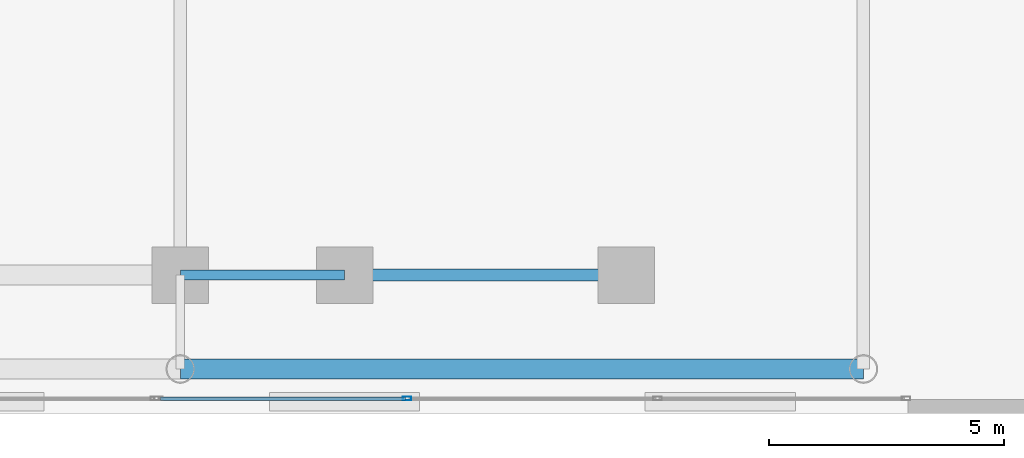
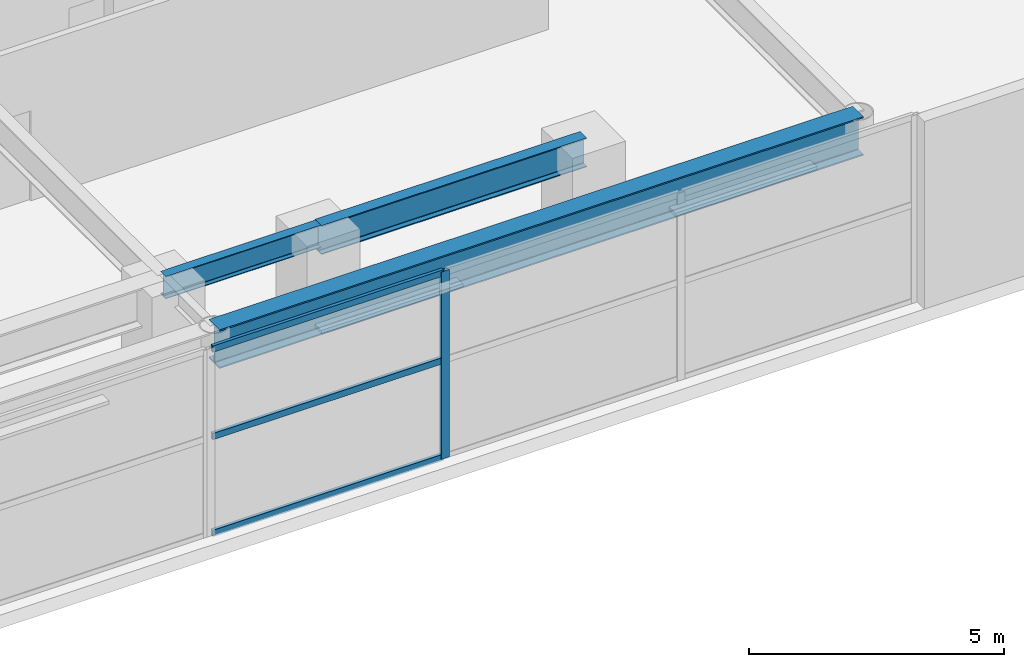
# One storey, part 8 of 28: 4 members, 3 beams, 1 element without a shape of its own.
"""IFC4 building model written with IfcOpenShell, lengths in metres."""

from ifc_helpers import new_model, si_unit, direction, frame, origin, origin_2d, place, context, subcontext, project, spatial, hollow_rectangle, i_section, extrude, source, transform, mapped, material, layer, layer_set, material_profile, profile_set, type_object, element, aggregate, save


model = new_model("IFC4")

# Units and contexts
model_context = context("Model", 3, precision=1e-05, world=origin(), true_north=direction((0.0, 1.0)))
body_context = subcontext(model_context, "Body", "Model", "MODEL_VIEW")
ifc_project = project(units=[si_unit("LENGTHUNIT", "METRE"), si_unit("AREAUNIT", "SQUARE_METRE"), si_unit("VOLUMEUNIT", "CUBIC_METRE"), si_unit("PLANEANGLEUNIT", "RADIAN"), si_unit("MASSUNIT", "GRAM", prefix="KILO")], contexts=[model_context])

# Site, building, storey
site_placement = place(None, origin())
site = spatial("IfcSite", under=ifc_project, at=site_placement, CompositionType="ELEMENT")
building_placement = place(site_placement, origin())
building = spatial("IfcBuilding", under=site, at=building_placement, Name="Ocotamira Hotel", CompositionType="ELEMENT")
storey_placement = place(building_placement, frame((0.0, 0.0, 24.0)))
storey = spatial("IfcBuildingStorey", under=building, at=storey_placement, Name="L05", CompositionType="ELEMENT", Elevation=24.0)

# Beams
ifc_material_1 = material(Name="Steel ASTM A992 Grade 50", Category="steel")
ifc_material_profile_1 = material_profile(ifc_material_1, i_section(OverallWidth=0.41796875, OverallDepth=0.927001953125, WebThickness=0.019287109375, FlangeThickness=0.031982421875, FilletRadius=0.02392578125, at=origin_2d()), Name="W36X231")
ifc_profile_set_1 = profile_set([ifc_material_profile_1], Name="Steel ASTM A992 Grade 50")
beam_type_1 = type_object("IfcBeamType", Name="BM-GIRD-W36X231", PredefinedType="BEAM", material=ifc_profile_set_1)
shared_shape_1 = source(origin(), body_context, "Body", "SweptSolid", [
    extrude(i_section(OverallWidth=0.41796875, OverallDepth=0.927001953125, WebThickness=0.019287109375, FlangeThickness=0.031982421875, FilletRadius=0.02392578125, at=origin_2d()), origin(), (0.0, 0.0, 1.0), 14.550048828125),
])
beam_1_placement = place(storey_placement, frame((40.5, 0.949951171875, 4.0166015625), z_axis=(1.0, 0.0, 0.0), x_axis=(0.0, 1.0, 0.0)))
element("IfcBeam", 1, at=beam_1_placement, inside=storey, type_object=beam_type_1, Name="L05 Girder Y0.95 X40.5-55.05", PredefinedType="BEAM", context=body_context, shape_type="MappedRepresentation", body=[
    mapped(shared_shape_1, transform((0.0, 0.0, 0.0), scale=1.0)),
])
ifc_material_profile_2 = material_profile(ifc_material_1, i_section(OverallWidth=0.256103515625, OverallDepth=0.693115234375, WebThickness=0.014404296875, FlangeThickness=0.023681640625, FilletRadius=0.01611328125, at=origin_2d()), Name="W27X114")
ifc_profile_set_2 = profile_set([ifc_material_profile_2], Name="Steel ASTM A992 Grade 50")
beam_type_2 = type_object("IfcBeamType", Name="BM-PRIM-W27X114", PredefinedType="BEAM", material=ifc_profile_set_2)
shared_shape_2 = source(origin(), body_context, "Body", "SweptSolid", [
    extrude(i_section(OverallWidth=0.256103515625, OverallDepth=0.693115234375, WebThickness=0.014404296875, FlangeThickness=0.023681640625, FilletRadius=0.01611328125, at=origin_2d()), origin(), (0.0, 0.0, 1.0), 6.0),
])
beam_2_placement = place(storey_placement, frame((44.0, 2.949951171875, 4.133544921875), z_axis=(1.0, 0.0, 0.0), x_axis=(0.0, 1.0, 0.0)))
element("IfcBeam", 2, at=beam_2_placement, inside=storey, type_object=beam_type_2, Name="L05 Girder Y2.95 X44-50", PredefinedType="BEAM", context=body_context, shape_type="MappedRepresentation", body=[
    mapped(shared_shape_2, transform((0.0, 0.0, 0.0), scale=1.0)),
])
ifc_material_profile_3 = material_profile(ifc_material_1, i_section(OverallWidth=0.2099609375, OverallDepth=0.537109375, WebThickness=0.010986328125, FlangeThickness=0.017333984375, FilletRadius=0.012939453125, at=origin_2d()), Name="W21X68")
ifc_profile_set_3 = profile_set([ifc_material_profile_3], Name="Steel ASTM A992 Grade 50")
beam_type_3 = type_object("IfcBeamType", Name="BM-SEC-W21X68", PredefinedType="JOIST", material=ifc_profile_set_3)
shared_shape_3 = source(origin(), body_context, "Body", "SweptSolid", [
    extrude(i_section(OverallWidth=0.2099609375, OverallDepth=0.537109375, WebThickness=0.010986328125, FlangeThickness=0.017333984375, FilletRadius=0.012939453125, at=origin_2d()), origin(), (0.0, 0.0, 1.0), 3.5),
])
beam_3_placement = place(storey_placement, frame((40.5, 2.949951171875, 4.21142578125), z_axis=(1.0, 0.0, 0.0), x_axis=(0.0, 1.0, 0.0)))
element("IfcBeam", 3, at=beam_3_placement, inside=storey, type_object=beam_type_3, Name="L05 Girder Y2.95 X40.5-44", PredefinedType="JOIST", context=body_context, shape_type="MappedRepresentation", body=[
    mapped(shared_shape_3, transform((0.0, 0.0, 0.0), scale=1.0)),
])

# Curtain wall, members
ifc_material_2 = material(Name="Anodised pale-metal aluminium and solar glass", Category="aluminium")
ifc_layer = layer(ifc_material_2, 0.219970703125)
ifc_layer_set = layer_set([ifc_layer], Name="Anodised pale-metal aluminium and solar glass")
curtain_wall_type = type_object("IfcCurtainWallType", Name="CW-SYS1-POD", PredefinedType="NOTDEFINED", material=ifc_layer_set)
curtain_wall_placement = place(storey_placement, origin())
curtain_wall = element("IfcCurtainWall", 4, at=curtain_wall_placement, inside=storey, type_object=curtain_wall_type, Name="L05 Curtain Wall CW-1 CW-L05-S3", PredefinedType="NOTDEFINED")
ifc_material_3 = material(Name="Anodised pale-metal aluminium 6063-T6", Category="aluminium")
ifc_material_profile_4 = material_profile(ifc_material_3, hollow_rectangle(XDim=0.080078125, YDim=0.179931640625, WallThickness=0.006103515625, at=origin_2d()), Name="HSS180X80X6")
ifc_profile_set_4 = profile_set([ifc_material_profile_4], Name="Anodised pale-metal aluminium 6063-T6")
member_type_1 = type_object("IfcMemberType", Name="CWM-180X75", PredefinedType="MULLION", material=ifc_profile_set_4)
shared_shape_4 = source(origin(), body_context, "Body", "SweptSolid", [
    extrude(hollow_rectangle(XDim=0.080078125, YDim=0.179931640625, WallThickness=0.006103515625, at=origin_2d()), origin(), (0.0, 0.0, 1.0), 4.47998046875),
])
member_1_placement = place(storey_placement, frame((45.333251953125, 0.320068359375, 0.0), z_axis=(0.0, 0.0, 1.0), x_axis=(0.0, 1.0, 0.0)))
member_1 = element("IfcMember", 5, at=member_1_placement, type_object=member_type_1, Name="CW-1 mullion 2", PredefinedType="MULLION", context=body_context, shape_type="MappedRepresentation", body=[
    mapped(shared_shape_4, transform((0.0, 0.0, 0.0), scale=1.0)),
])
ifc_material_profile_5 = material_profile(ifc_material_3, hollow_rectangle(XDim=0.074951171875, YDim=0.14990234375, WallThickness=0.006103515625, at=origin_2d()), Name="HSS150X75X6")
ifc_profile_set_5 = profile_set([ifc_material_profile_5], Name="Anodised pale-metal aluminium 6063-T6")
member_type_2 = type_object("IfcMemberType", Name="CWT-150X75", PredefinedType="USERDEFINED", material=ifc_profile_set_5)
shared_shape_5 = source(origin(), body_context, "Body", "SweptSolid", [
    extrude(hollow_rectangle(XDim=0.074951171875, YDim=0.14990234375, WallThickness=0.006103515625, at=origin_2d()), origin(), (0.0, 0.0, 1.0), 5.213134765625),
])
member_2_placement = place(storey_placement, frame((40.080078125, 0.320068359375, 0.03759765625), z_axis=(1.0, 0.0, 0.0), x_axis=(0.0, 1.0, 0.0)))
member_2 = element("IfcMember", 6, at=member_2_placement, type_object=member_type_2, Name="CW-1 transom 1.1", ObjectType="TRANSOM", PredefinedType="USERDEFINED", context=body_context, shape_type="MappedRepresentation", body=[
    mapped(shared_shape_5, transform((0.0, 0.0, 0.0), scale=1.0)),
])
member_3_placement = place(storey_placement, frame((40.080078125, 0.320068359375, 2.35009765625), z_axis=(1.0, 0.0, 0.0), x_axis=(0.0, 1.0, 0.0)))
member_3 = element("IfcMember", 7, at=member_3_placement, type_object=member_type_2, Name="CW-1 transom 1.2", ObjectType="TRANSOM", PredefinedType="USERDEFINED", context=body_context, shape_type="MappedRepresentation", body=[
    mapped(shared_shape_5, transform((0.0, 0.0, 0.0), scale=1.0)),
])
member_4_placement = place(storey_placement, frame((40.080078125, 0.320068359375, 4.4423828125), z_axis=(1.0, 0.0, 0.0), x_axis=(0.0, 1.0, 0.0)))
member_4 = element("IfcMember", 8, at=member_4_placement, type_object=member_type_2, Name="CW-1 transom 1.3", ObjectType="TRANSOM", PredefinedType="USERDEFINED", context=body_context, shape_type="MappedRepresentation", body=[
    mapped(shared_shape_5, transform((0.0, 0.0, 0.0), scale=1.0)),
])
aggregate(curtain_wall, [member_1, member_2, member_3, member_4])

save(model, "model.ifc")
